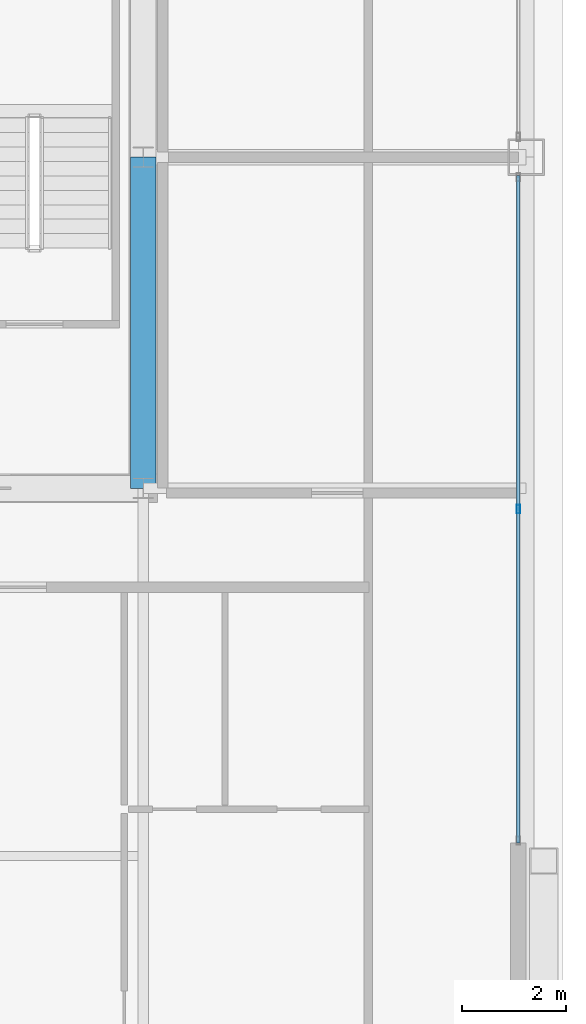
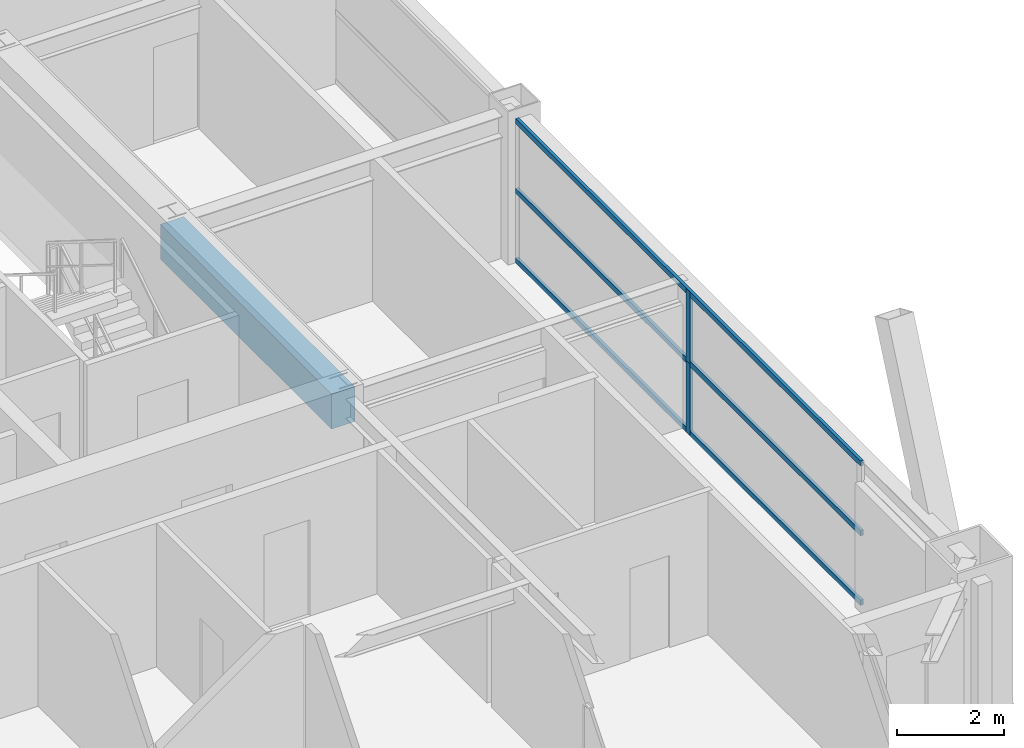
# One storey, part 18 of 35: 5 members, 1 beam, 1 element without a shape of its own.
"""IFC4 building model written with IfcOpenShell, lengths in metres."""

from ifc_helpers import new_model, si_unit, direction, frame, origin, origin_2d, place, context, subcontext, project, spatial, rectangle, hollow_rectangle, extrude, source, transform, mapped, material, layer, layer_set, material_profile, profile_set, type_object, element, aggregate, save


model = new_model("IFC4")

# Units and contexts
model_context = context("Model", 3, precision=1e-05, world=origin(), true_north=direction((0.0, 1.0)))
body_context = subcontext(model_context, "Body", "Model", "MODEL_VIEW")
ifc_project = project(units=[si_unit("LENGTHUNIT", "METRE"), si_unit("AREAUNIT", "SQUARE_METRE"), si_unit("VOLUMEUNIT", "CUBIC_METRE"), si_unit("PLANEANGLEUNIT", "RADIAN"), si_unit("MASSUNIT", "GRAM", prefix="KILO"), si_unit("THERMODYNAMICTEMPERATUREUNIT", "KELVIN"), si_unit("POWERUNIT", "WATT")], contexts=[model_context])

# Site, building, storey
site_placement = place(None, origin())
site = spatial("IfcSite", under=ifc_project, at=site_placement, CompositionType="ELEMENT")
building_placement = place(site_placement, origin())
building = spatial("IfcBuilding", under=site, at=building_placement, Name="Yuzanri Waterfront Tower", CompositionType="ELEMENT")
storey_placement = place(building_placement, frame((0.0, 0.0, 227.60009765625)))
storey = spatial("IfcBuildingStorey", under=building, at=storey_placement, Name="L60", CompositionType="ELEMENT", Elevation=227.60009765625)

# Beam
ifc_material_1 = material(Name="Concrete C50", Category="concrete")
ifc_material_profile_1 = material_profile(ifc_material_1, rectangle(XDim=0.5, YDim=0.800048828125, at=origin_2d()), Name="RC 500x800")
ifc_profile_set_1 = profile_set([ifc_material_profile_1], Name="Concrete C50")
beam_type = type_object("IfcBeamType", Name="Core Coupling Lintel Concrete C50 500x800", PredefinedType="LINTEL", material=ifc_profile_set_1)
shared_shape_1 = source(origin(), body_context, "Body", "SweptSolid", [
    extrude(rectangle(XDim=0.5, YDim=0.800048828125, at=origin_2d()), origin(), (0.0, 0.0, 1.0), 6.400146484375),
])
beam_placement = place(storey_placement, frame((50.199951171875, 19.39990234375, 2.8798828125), z_axis=(0.0, 1.0, 0.0), x_axis=(-1.0, 0.0, 0.0)))
element("IfcBeam", 1, at=beam_placement, inside=storey, type_object=beam_type, Name="L60 Core Tie Beam CE1", PredefinedType="LINTEL", context=body_context, shape_type="MappedRepresentation", body=[
    mapped(shared_shape_1, transform((0.0, 0.0, 0.0), scale=1.0)),
])

# Curtain wall, members
ifc_material_2 = material(Name="Anodized Architectural Bronze", Category="metal")
ifc_layer = layer(ifc_material_2, 0.159912109375)
ifc_layer_set = layer_set([ifc_layer], Name="Anodized Architectural Bronze")
curtain_wall_type = type_object("IfcCurtainWallType", Name="Anodized Bronze Mid-Rise Residential Acoustic Unitized Curtain Wall 7200", PredefinedType="NOTDEFINED", material=ifc_layer_set)
curtain_wall_placement = place(storey_placement, origin())
curtain_wall = element("IfcCurtainWall", 2, at=curtain_wall_placement, inside=storey, type_object=curtain_wall_type, Name="L60 Curtain Wall CW-L60-EL", PredefinedType="NOTDEFINED")
ifc_material_3 = material(Name="Anodized Architectural Bronze", Category="metal")
ifc_material_profile_2 = material_profile(ifc_material_3, hollow_rectangle(XDim=0.06494140625, YDim=0.159912109375, WallThickness=0.00341796875, at=origin_2d()), Name="CWM 65x160")
ifc_profile_set_2 = profile_set([ifc_material_profile_2], Name="Anodized Architectural Bronze")
member_type_1 = type_object("IfcMemberType", Name="Anodized Bronze Upper-Zone Curtain-Wall Mullion 65x160", PredefinedType="MULLION", material=ifc_profile_set_2)
shared_shape_2 = source(origin(), body_context, "Body", "SweptSolid", [
    extrude(hollow_rectangle(XDim=0.06494140625, YDim=0.159912109375, WallThickness=0.00341796875, at=origin_2d()), origin(), (0.0, 0.0, 1.0), 1.637939453125),
])
member_1_placement = place(storey_placement, frame((57.449951171875, 19.0, 0.0), z_axis=(0.0, 0.0, 1.0), x_axis=(1.0, 0.0, 0.0)))
member_1 = element("IfcMember", 3, at=member_1_placement, type_object=member_type_1, Name="CW-L60-EL Lower Mullion 01", PredefinedType="MULLION", context=body_context, shape_type="MappedRepresentation", body=[
    mapped(shared_shape_2, transform((0.0, 0.0, 0.0), scale=1.0)),
])
member_2_placement = place(storey_placement, frame((57.449951171875, 19.0, 1.641845703125), z_axis=(0.0, 0.0, 1.0), x_axis=(1.0, 0.0, 0.0)))
member_2 = element("IfcMember", 4, at=member_2_placement, type_object=member_type_1, Name="CW-L60-EL Upper Mullion 01", PredefinedType="MULLION", context=body_context, shape_type="MappedRepresentation", body=[
    mapped(shared_shape_2, transform((0.0, 0.0, 0.0), scale=1.0)),
])
ifc_material_4 = material(Name="Anodized Architectural Bronze", Category="metal")
ifc_material_profile_3 = material_profile(ifc_material_4, hollow_rectangle(XDim=0.06494140625, YDim=0.1201171875, WallThickness=0.00341796875, at=origin_2d()), Name="CWT 65x120")
ifc_profile_set_3 = profile_set([ifc_material_profile_3], Name="Anodized Architectural Bronze")
member_type_2 = type_object("IfcMemberType", Name="Anodized Bronze Secondary Curtain-Wall Transom 65x120", PredefinedType="USERDEFINED", material=ifc_profile_set_3)
shared_shape_3 = source(origin(), body_context, "Body", "SweptSolid", [
    extrude(hollow_rectangle(XDim=0.06494140625, YDim=0.1201171875, WallThickness=0.00341796875, at=origin_2d()), origin(), (0.0, 0.0, 1.0), 12.89990234375),
])
member_3_placement = place(storey_placement, frame((57.449951171875, 12.550048828125, 0.0498046875), z_axis=(0.0, 1.0, 0.0), x_axis=(-1.0, 0.0, 0.0)))
member_3 = element("IfcMember", 5, at=member_3_placement, type_object=member_type_2, Name="CW-L60-EL Transom 1", ObjectType="TRANSOM", PredefinedType="USERDEFINED", context=body_context, shape_type="MappedRepresentation", body=[
    mapped(shared_shape_3, transform((0.0, 0.0, 0.0), scale=1.0)),
])
member_4_placement = place(storey_placement, frame((57.449951171875, 12.550048828125, 1.639892578125), z_axis=(0.0, 1.0, 0.0), x_axis=(-1.0, 0.0, 0.0)))
member_4 = element("IfcMember", 6, at=member_4_placement, type_object=member_type_2, Name="CW-L60-EL Transom 2", ObjectType="TRANSOM", PredefinedType="USERDEFINED", context=body_context, shape_type="MappedRepresentation", body=[
    mapped(shared_shape_3, transform((0.0, 0.0, 0.0), scale=1.0)),
])
member_5_placement = place(storey_placement, frame((57.449951171875, 12.550048828125, 3.22998046875), z_axis=(0.0, 1.0, 0.0), x_axis=(-1.0, 0.0, 0.0)))
member_5 = element("IfcMember", 7, at=member_5_placement, type_object=member_type_2, Name="CW-L60-EL Transom 3", ObjectType="TRANSOM", PredefinedType="USERDEFINED", context=body_context, shape_type="MappedRepresentation", body=[
    mapped(shared_shape_3, transform((0.0, 0.0, 0.0), scale=1.0)),
])
aggregate(curtain_wall, [member_1, member_2, member_3, member_4, member_5])

save(model, "model.ifc")
